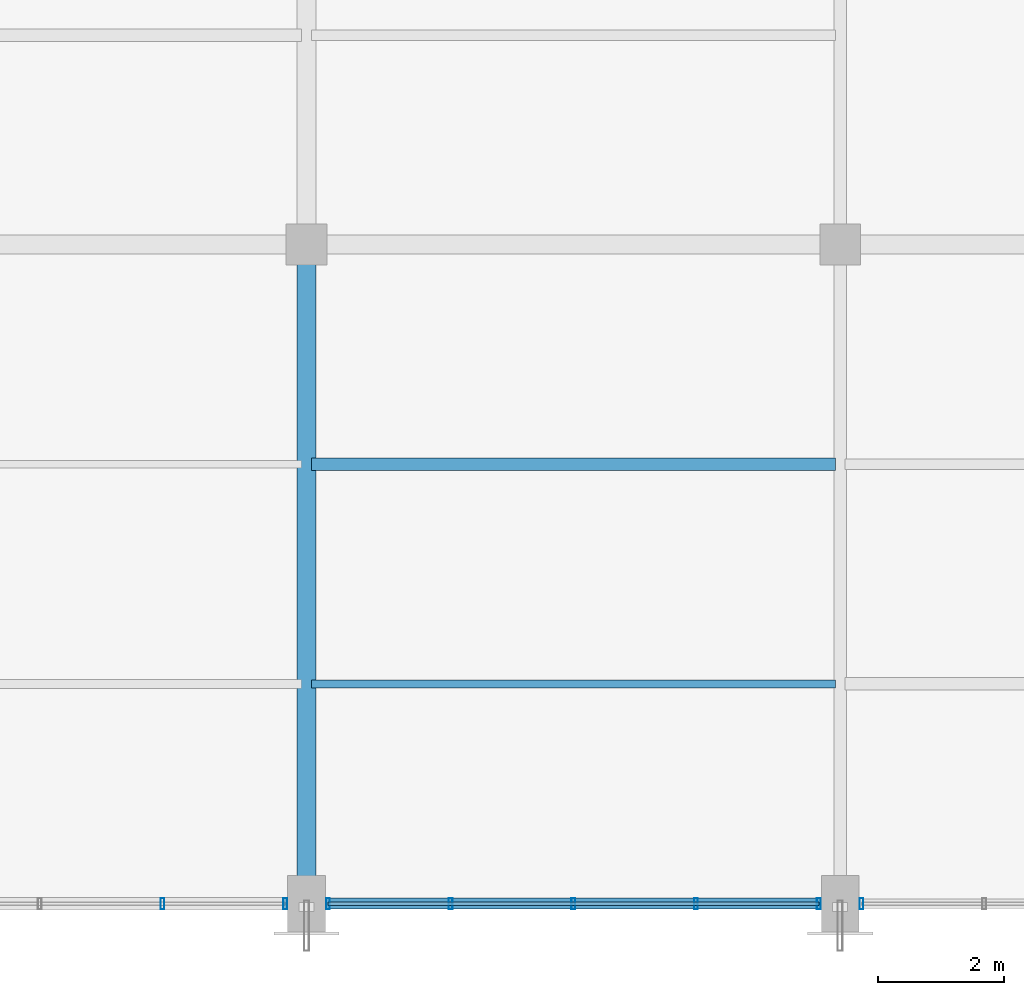
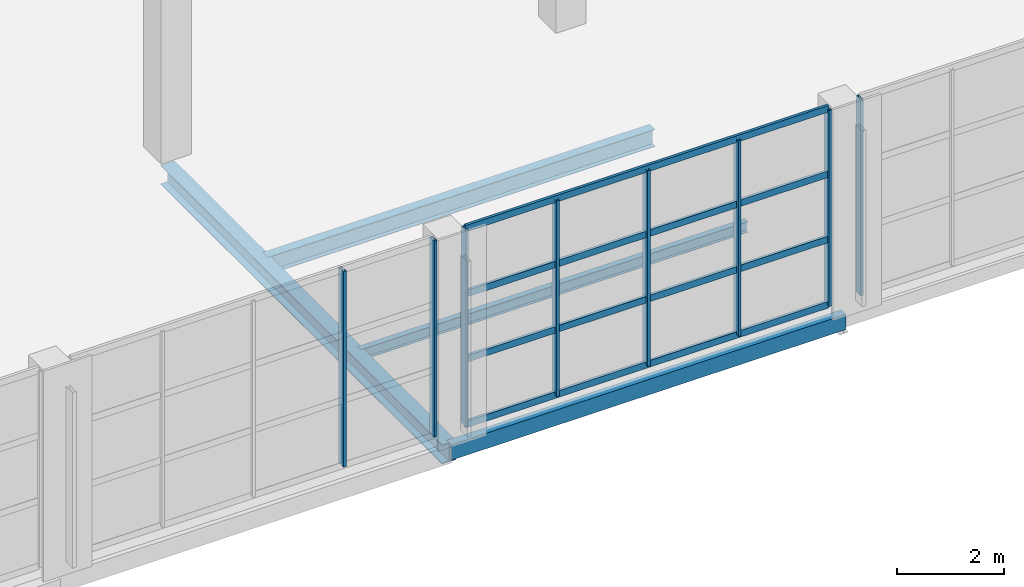
# One storey, part 21 of 86: 12 members, 4 beams, 3 elements without a shape of their own.
"""IFC4 building model written with IfcOpenShell, lengths in metres."""

from ifc_helpers import new_model, si_unit, direction, frame, origin, origin_2d, place, context, subcontext, project, spatial, hollow_rectangle, i_section, extrude, material, material_profile, profile_set, type_object, element, aggregate, save


model = new_model("IFC4")

# Units and contexts
model_context = context("Model", 3, precision=1e-05, world=origin(), true_north=direction((0.0, 1.0)))
body_context = subcontext(model_context, "Body", "Model", "MODEL_VIEW")
ifc_project = project(units=[si_unit("LENGTHUNIT", "METRE"), si_unit("AREAUNIT", "SQUARE_METRE"), si_unit("VOLUMEUNIT", "CUBIC_METRE"), si_unit("PLANEANGLEUNIT", "RADIAN"), si_unit("MASSUNIT", "GRAM", prefix="KILO")], contexts=[model_context])

# Site, building, storey
site_placement = place(None, origin())
site = spatial("IfcSite", under=ifc_project, at=site_placement, CompositionType="ELEMENT")
building_placement = place(site_placement, origin())
building = spatial("IfcBuilding", under=site, at=building_placement, Name="Solvikara Media Centre", CompositionType="ELEMENT")
storey_placement = place(building_placement, frame((0.0, 0.0, 15.0)))
storey = spatial("IfcBuildingStorey", under=building, at=storey_placement, Name="L03", CompositionType="ELEMENT", Elevation=15.0)

# Beams
ifc_material_1 = material(Name="Steel S355JR", Category="steel")
ifc_material_profile_1 = material_profile(ifc_material_1, i_section(OverallWidth=0.125, OverallDepth=0.25, WebThickness=0.006103515625, FlangeThickness=0.009033203125, at=origin_2d()), Name="WF 250x125x6x9")
ifc_profile_set_1 = profile_set([ifc_material_profile_1], Name="Steel S355JR")
beam_type_1 = type_object("IfcBeamType", Name="BM-24", PredefinedType="JOIST", material=ifc_profile_set_1)
beam_1_placement = place(storey_placement, frame((51.077880859375, 3.5, -0.406982421875), z_axis=(1.0, 0.0, 0.0), x_axis=(0.0, 1.0, 0.0)))
element("IfcBeam", 1, at=beam_1_placement, inside=storey, type_object=beam_type_1, Name="J-L03-1388", PredefinedType="JOIST", context=body_context, shape_type="SweptSolid", body=[
    extrude(i_section(OverallWidth=0.125, OverallDepth=0.25, WebThickness=0.006103515625, FlangeThickness=0.009033203125, at=origin_2d()), origin(), (0.0, 0.0, 1.0), 8.34423828125),
])
ifc_material_profile_2 = material_profile(ifc_material_1, i_section(OverallWidth=0.300048828125, OverallDepth=0.43994140625, WebThickness=0.010986328125, FlangeThickness=0.01806640625, at=origin_2d()), Name="H 440x300x11x18")
ifc_profile_set_2 = profile_set([ifc_material_profile_2], Name="Steel S355JR")
beam_type_2 = type_object("IfcBeamType", Name="BM-28", PredefinedType="BEAM", material=ifc_profile_set_2)
beam_2_placement = place(storey_placement, frame((51.0, 0.0, -0.501953125), z_axis=(0.0, 1.0, 0.0), x_axis=(-1.0, 0.0, 0.0)))
element("IfcBeam", 2, at=beam_2_placement, inside=storey, type_object=beam_type_2, Name="B-L03-Y1268", PredefinedType="BEAM", context=body_context, shape_type="SweptSolid", body=[
    extrude(i_section(OverallWidth=0.300048828125, OverallDepth=0.43994140625, WebThickness=0.010986328125, FlangeThickness=0.01806640625, at=origin_2d()), origin(), (0.0, 0.0, 1.0), 10.5),
])
ifc_material_profile_3 = material_profile(ifc_material_1, hollow_rectangle(XDim=0.175048828125, YDim=0.35009765625, WallThickness=0.010009765625, at=origin_2d()), Name="RHS 350x175x10")
ifc_profile_set_3 = profile_set([ifc_material_profile_3], Name="Steel S355JR")
beam_type_3 = type_object("IfcBeamType", Name="BM-34", PredefinedType="SPANDREL", material=ifc_profile_set_3)
beam_3_placement = place(storey_placement, frame((51.0, 0.0, -0.45703125), z_axis=(1.0, 0.0, 0.0), x_axis=(0.0, 1.0, 0.0)))
element("IfcBeam", 3, at=beam_3_placement, inside=storey, type_object=beam_type_3, Name="B-L03-X1156", PredefinedType="SPANDREL", context=body_context, shape_type="SweptSolid", body=[
    extrude(hollow_rectangle(XDim=0.175048828125, YDim=0.35009765625, WallThickness=0.010009765625, at=origin_2d()), origin(), (0.0, 0.0, 1.0), 8.5),
])
ifc_material_profile_4 = material_profile(ifc_material_1, i_section(OverallWidth=0.198974609375, OverallDepth=0.39599609375, WebThickness=0.007080078125, FlangeThickness=0.010986328125, at=origin_2d()), Name="WF 396x199x7x11")
ifc_profile_set_4 = profile_set([ifc_material_profile_4], Name="Steel S355JR")
beam_type_4 = type_object("IfcBeamType", Name="BM-37", PredefinedType="JOIST", material=ifc_profile_set_4)
beam_4_placement = place(storey_placement, frame((51.077880859375, 7.0, -0.47998046875), z_axis=(1.0, 0.0, 0.0), x_axis=(0.0, 1.0, 0.0)))
element("IfcBeam", 4, at=beam_4_placement, inside=storey, type_object=beam_type_4, Name="J-L03-1389", PredefinedType="JOIST", context=body_context, shape_type="SweptSolid", body=[
    extrude(i_section(OverallWidth=0.198974609375, OverallDepth=0.39599609375, WebThickness=0.007080078125, FlangeThickness=0.010986328125, at=origin_2d()), origin(), (0.0, 0.0, 1.0), 8.34423828125),
])

# Curtain wall, members
ifc_material_2 = material(Name="Anodised aluminium EN AW-6063", Category="aluminium")
curtain_wall_type = type_object("IfcCurtainWallType", Name="CW-04", PredefinedType="NOTDEFINED", material=ifc_material_2)
curtain_wall_1_placement = place(storey_placement, origin())
curtain_wall_1 = element("IfcCurtainWall", 5, at=curtain_wall_1_placement, inside=storey, type_object=curtain_wall_type, Name="CW-L03-V6S-2", PredefinedType="NOTDEFINED")
ifc_material_profile_5 = material_profile(ifc_material_2, hollow_rectangle(XDim=0.06005859375, YDim=0.179931640625, WallThickness=0.00341796875, at=origin_2d()), Name="ALU-M 60x180x3.5")
ifc_profile_set_5 = profile_set([ifc_material_profile_5], Name="Anodised aluminium EN AW-6063")
member_type_1 = type_object("IfcMemberType", Name="MF-03", PredefinedType="MULLION", material=ifc_profile_set_5)
member_1_placement = place(storey_placement, frame((48.705078125, 0.0, 0.02001953125), z_axis=(0.0, 0.0, 1.0), x_axis=(1.0, 0.0, 0.0)))
member_1 = element("IfcMember", 6, at=member_1_placement, type_object=member_type_1, Name="CW-L03-V6S-2-M03", PredefinedType="MULLION", context=body_context, shape_type="SweptSolid", body=[
    extrude(hollow_rectangle(XDim=0.06005859375, YDim=0.179931640625, WallThickness=0.00341796875, at=origin_2d()), origin(), (0.0, 0.0, 1.0), 4.4599609375),
])
member_2_placement = place(storey_placement, frame((50.659912109375, 0.0, 0.02001953125), z_axis=(0.0, 0.0, 1.0), x_axis=(1.0, 0.0, 0.0)))
member_2 = element("IfcMember", 7, at=member_2_placement, type_object=member_type_1, Name="CW-L03-V6S-2-M04", PredefinedType="MULLION", context=body_context, shape_type="SweptSolid", body=[
    extrude(hollow_rectangle(XDim=0.06005859375, YDim=0.179931640625, WallThickness=0.00341796875, at=origin_2d()), origin(), (0.0, 0.0, 1.0), 4.4599609375),
])
aggregate(curtain_wall_1, [member_1, member_2])

curtain_wall_2_placement = place(storey_placement, origin())
curtain_wall_2 = element("IfcCurtainWall", 8, at=curtain_wall_2_placement, inside=storey, type_object=curtain_wall_type, Name="CW-L03-V6S-3", PredefinedType="NOTDEFINED")
member_3_placement = place(storey_placement, frame((51.340087890625, 0.0, 0.02001953125), z_axis=(0.0, 0.0, 1.0), x_axis=(1.0, 0.0, 0.0)))
member_3 = element("IfcMember", 9, at=member_3_placement, type_object=member_type_1, Name="CW-L03-V6S-3-M00", PredefinedType="MULLION", context=body_context, shape_type="SweptSolid", body=[
    extrude(hollow_rectangle(XDim=0.06005859375, YDim=0.179931640625, WallThickness=0.00341796875, at=origin_2d()), origin(), (0.0, 0.0, 1.0), 4.4599609375),
])
member_4_placement = place(storey_placement, frame((53.294921875, 0.0, 0.02001953125), z_axis=(0.0, 0.0, 1.0), x_axis=(1.0, 0.0, 0.0)))
member_4 = element("IfcMember", 10, at=member_4_placement, type_object=member_type_1, Name="CW-L03-V6S-3-M01", PredefinedType="MULLION", context=body_context, shape_type="SweptSolid", body=[
    extrude(hollow_rectangle(XDim=0.06005859375, YDim=0.179931640625, WallThickness=0.00341796875, at=origin_2d()), origin(), (0.0, 0.0, 1.0), 4.4599609375),
])
member_5_placement = place(storey_placement, frame((55.25, 0.0, 0.02001953125), z_axis=(0.0, 0.0, 1.0), x_axis=(1.0, 0.0, 0.0)))
member_5 = element("IfcMember", 11, at=member_5_placement, type_object=member_type_1, Name="CW-L03-V6S-3-M02", PredefinedType="MULLION", context=body_context, shape_type="SweptSolid", body=[
    extrude(hollow_rectangle(XDim=0.06005859375, YDim=0.179931640625, WallThickness=0.00341796875, at=origin_2d()), origin(), (0.0, 0.0, 1.0), 4.4599609375),
])
member_6_placement = place(storey_placement, frame((57.205078125, 0.0, 0.02001953125), z_axis=(0.0, 0.0, 1.0), x_axis=(1.0, 0.0, 0.0)))
member_6 = element("IfcMember", 12, at=member_6_placement, type_object=member_type_1, Name="CW-L03-V6S-3-M03", PredefinedType="MULLION", context=body_context, shape_type="SweptSolid", body=[
    extrude(hollow_rectangle(XDim=0.06005859375, YDim=0.179931640625, WallThickness=0.00341796875, at=origin_2d()), origin(), (0.0, 0.0, 1.0), 4.4599609375),
])
member_7_placement = place(storey_placement, frame((59.159912109375, 0.0, 0.02001953125), z_axis=(0.0, 0.0, 1.0), x_axis=(1.0, 0.0, 0.0)))
member_7 = element("IfcMember", 13, at=member_7_placement, type_object=member_type_1, Name="CW-L03-V6S-3-M04", PredefinedType="MULLION", context=body_context, shape_type="SweptSolid", body=[
    extrude(hollow_rectangle(XDim=0.06005859375, YDim=0.179931640625, WallThickness=0.00341796875, at=origin_2d()), origin(), (0.0, 0.0, 1.0), 4.4599609375),
])

# Curtain wall, member
curtain_wall_3_placement = place(storey_placement, origin())
curtain_wall_3 = element("IfcCurtainWall", 14, at=curtain_wall_3_placement, inside=storey, type_object=curtain_wall_type, Name="CW-L03-V6S-4", PredefinedType="NOTDEFINED")
member_8_placement = place(storey_placement, frame((59.840087890625, 0.0, 0.02001953125), z_axis=(0.0, 0.0, 1.0), x_axis=(1.0, 0.0, 0.0)))
member_8 = element("IfcMember", 15, at=member_8_placement, type_object=member_type_1, Name="CW-L03-V6S-4-M00", PredefinedType="MULLION", context=body_context, shape_type="SweptSolid", body=[
    extrude(hollow_rectangle(XDim=0.06005859375, YDim=0.179931640625, WallThickness=0.00341796875, at=origin_2d()), origin(), (0.0, 0.0, 1.0), 4.4599609375),
])
aggregate(curtain_wall_3, [member_8])

# Member
ifc_material_profile_6 = material_profile(ifc_material_2, hollow_rectangle(XDim=0.06005859375, YDim=0.14990234375, WallThickness=0.0029296875, at=origin_2d()), Name="ALU-T 60x150x3")
ifc_profile_set_6 = profile_set([ifc_material_profile_6], Name="Anodised aluminium EN AW-6063")
member_type_2 = type_object("IfcMemberType", Name="MF-09", PredefinedType="USERDEFINED", material=ifc_profile_set_6)
member_9_placement = place(storey_placement, frame((51.340087890625, 0.0, 0.02001953125), z_axis=(1.0, 0.0, 0.0), x_axis=(0.0, 1.0, 0.0)))
member_9 = element("IfcMember", 16, at=member_9_placement, type_object=member_type_2, Name="CW-L03-V6S-3-T00", ObjectType="TRANSOM", PredefinedType="USERDEFINED", context=body_context, shape_type="SweptSolid", body=[
    extrude(hollow_rectangle(XDim=0.06005859375, YDim=0.14990234375, WallThickness=0.0029296875, at=origin_2d()), origin(), (0.0, 0.0, 1.0), 7.81982421875),
])

member_10_placement = place(storey_placement, frame((51.340087890625, 0.0, 1.507080078125), z_axis=(1.0, 0.0, 0.0), x_axis=(0.0, 1.0, 0.0)))
member_10 = element("IfcMember", 17, at=member_10_placement, type_object=member_type_2, Name="CW-L03-V6S-3-T01", ObjectType="TRANSOM", PredefinedType="USERDEFINED", context=body_context, shape_type="SweptSolid", body=[
    extrude(hollow_rectangle(XDim=0.06005859375, YDim=0.14990234375, WallThickness=0.0029296875, at=origin_2d()), origin(), (0.0, 0.0, 1.0), 7.81982421875),
])

member_11_placement = place(storey_placement, frame((51.340087890625, 0.0, 2.992919921875), z_axis=(1.0, 0.0, 0.0), x_axis=(0.0, 1.0, 0.0)))
member_11 = element("IfcMember", 18, at=member_11_placement, type_object=member_type_2, Name="CW-L03-V6S-3-T02", ObjectType="TRANSOM", PredefinedType="USERDEFINED", context=body_context, shape_type="SweptSolid", body=[
    extrude(hollow_rectangle(XDim=0.06005859375, YDim=0.14990234375, WallThickness=0.0029296875, at=origin_2d()), origin(), (0.0, 0.0, 1.0), 7.81982421875),
])

member_12_placement = place(storey_placement, frame((51.340087890625, 0.0, 4.47998046875), z_axis=(1.0, 0.0, 0.0), x_axis=(0.0, 1.0, 0.0)))
member_12 = element("IfcMember", 19, at=member_12_placement, type_object=member_type_2, Name="CW-L03-V6S-3-T03", ObjectType="TRANSOM", PredefinedType="USERDEFINED", context=body_context, shape_type="SweptSolid", body=[
    extrude(hollow_rectangle(XDim=0.06005859375, YDim=0.14990234375, WallThickness=0.0029296875, at=origin_2d()), origin(), (0.0, 0.0, 1.0), 7.81982421875),
])

aggregate(curtain_wall_2, [member_3, member_4, member_5, member_6, member_7, member_9, member_10, member_11, member_12])

save(model, "model.ifc")
